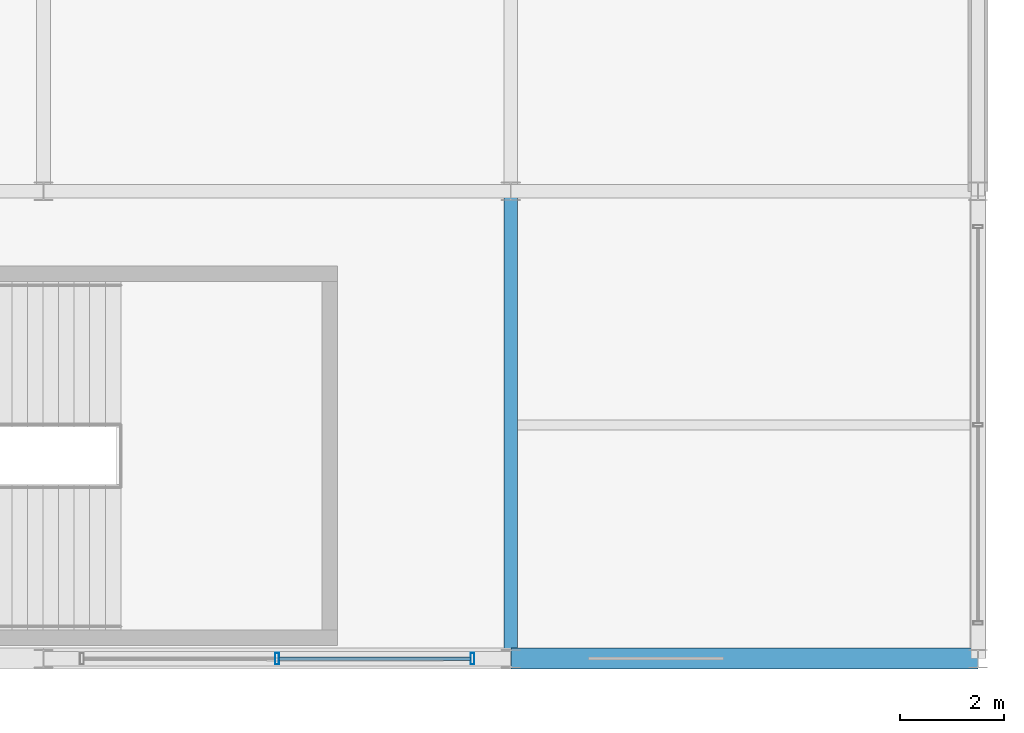
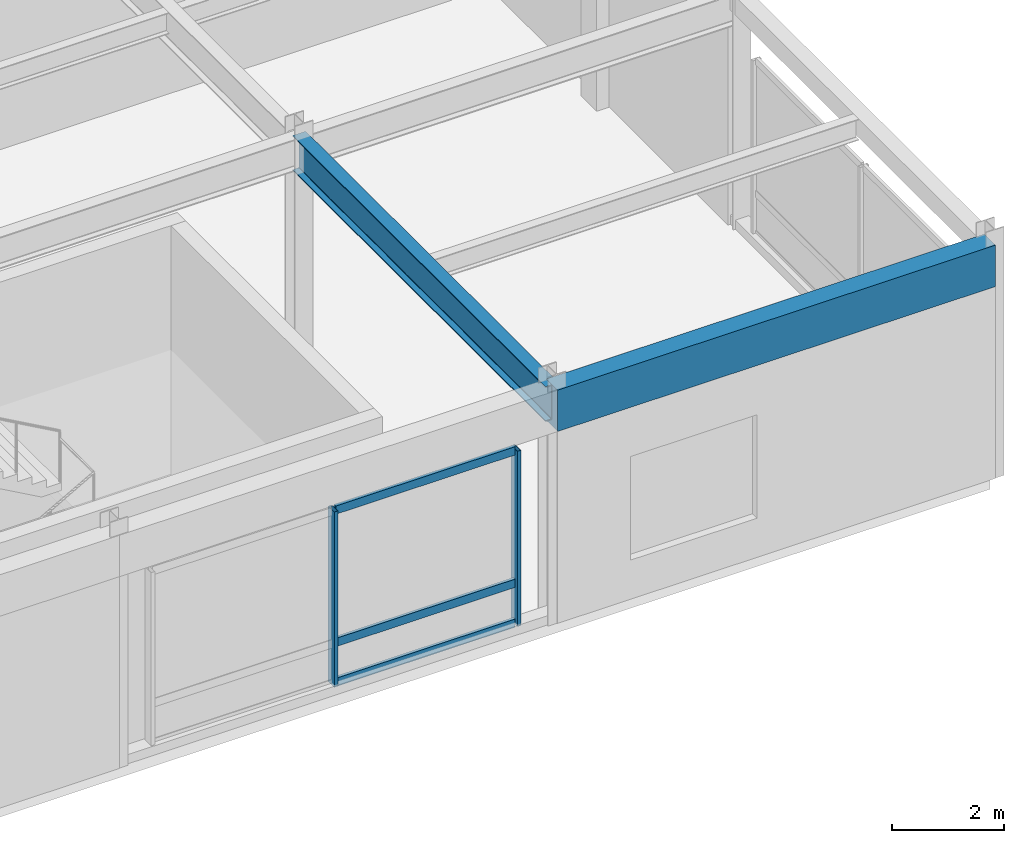
# One storey, part 42 of 100: 5 members, 2 beams, 1 element without a shape of its own.
"""IFC4 building model written with IfcOpenShell, lengths in metres."""

from ifc_helpers import new_model, si_unit, direction, frame, origin, origin_2d, place, context, subcontext, project, spatial, rectangle, hollow_rectangle, i_section, extrude, material, material_profile, profile_set, type_object, element, aggregate, save


model = new_model("IFC4")

# Units and contexts
model_context = context("Model", 3, precision=1e-05, world=origin(), true_north=direction((0.0, 1.0)))
body_context = subcontext(model_context, "Body", "Model", "MODEL_VIEW")
ifc_project = project(units=[si_unit("LENGTHUNIT", "METRE"), si_unit("AREAUNIT", "SQUARE_METRE"), si_unit("VOLUMEUNIT", "CUBIC_METRE"), si_unit("PLANEANGLEUNIT", "RADIAN"), si_unit("MASSUNIT", "GRAM", prefix="KILO")], contexts=[model_context])

# Site, building, storey
site_placement = place(None, origin())
site = spatial("IfcSite", under=ifc_project, at=site_placement, CompositionType="ELEMENT")
building_placement = place(site_placement, origin())
building = spatial("IfcBuilding", under=site, at=building_placement, Name="Kaldorvane Square Convention Centre", CompositionType="ELEMENT")
storey_placement = place(building_placement, frame((0.0, 0.0, 18.0)))
storey = spatial("IfcBuildingStorey", under=building, at=storey_placement, Name="L03", CompositionType="ELEMENT", Elevation=18.0)

# Beams
ifc_material_1 = material(Name="Steel ASTM A992 Gr. 50", Category="steel")
ifc_material_profile_1 = material_profile(ifc_material_1, i_section(OverallWidth=0.2666015625, OverallDepth=0.762298583984375, WebThickness=0.014404296875, FlangeThickness=0.0216064453125, FilletRadius=0.0164947509765625, at=origin_2d()), Name="W30X116")
ifc_profile_set_1 = profile_set([ifc_material_profile_1], Name="Steel ASTM A992 Gr. 50")
beam_type_1 = type_object("IfcBeamType", Name="BM-GR-W30X116", PredefinedType="BEAM", material=ifc_profile_set_1)
beam_1_placement = place(storey_placement, frame((165.0, 0.0, 4.694793701171875), z_axis=(0.0, 1.0, 0.0), x_axis=(-1.0, 0.0, 0.0)))
element("IfcBeam", 1, at=beam_1_placement, inside=storey, type_object=beam_type_1, Name="Transverse Girder (L03)", PredefinedType="BEAM", context=body_context, shape_type="SweptSolid", body=[
    extrude(i_section(OverallWidth=0.2666015625, OverallDepth=0.762298583984375, WebThickness=0.014404296875, FlangeThickness=0.0216064453125, FilletRadius=0.0164947509765625, at=origin_2d()), origin(), (0.0, 0.0, 1.0), 9.0),
])
ifc_material_2 = material(Name="Concrete f'c = 42 MPa (Normalweight)", Category="concrete")
ifc_material_profile_2 = material_profile(ifc_material_2, rectangle(XDim=0.399993896484375, YDim=0.899993896484375, at=origin_2d()), Name="RCSP900X400")
ifc_profile_set_2 = profile_set([ifc_material_profile_2], Name="Concrete f'c = 42 MPa (Normalweight)")
beam_type_2 = type_object("IfcBeamType", Name="BM-SP-RC900", PredefinedType="SPANDREL", material=ifc_profile_set_2)
beam_2_placement = place(storey_placement, frame((165.0, 0.0, 4.626007080078125), z_axis=(1.0, 0.0, 0.0), x_axis=(0.0, 1.0, 0.0)))
element("IfcBeam", 2, at=beam_2_placement, inside=storey, type_object=beam_type_2, Name="Perimeter Spandrel (L03)", PredefinedType="SPANDREL", context=body_context, shape_type="SweptSolid", body=[
    extrude(rectangle(XDim=0.399993896484375, YDim=0.899993896484375, at=origin_2d()), origin(), (0.0, 0.0, 1.0), 9.0),
])

# Curtain wall, members
ifc_material_3 = material(Name="Anodized Aluminum and Low-E Insulated Glazing", Category="aluminium")
curtain_wall_type = type_object("IfcCurtainWallType", Name="CW-UNI-P54-12", PredefinedType="USERDEFINED", material=ifc_material_3)
curtain_wall_placement = place(storey_placement, origin())
curtain_wall = element("IfcCurtainWall", 3, at=curtain_wall_placement, inside=storey, type_object=curtain_wall_type, Name="Curtain Wall CW-03 (L03)", ObjectType="UNITISED GLAZING", PredefinedType="USERDEFINED")
ifc_material_profile_3 = material_profile(ifc_material_3, hollow_rectangle(XDim=0.0749969482421875, YDim=0.220001220703125, WallThickness=0.003997802734375, at=origin_2d()), Name="CWM-220X75")
ifc_profile_set_3 = profile_set([ifc_material_profile_3], Name="Anodized Aluminum and Low-E Insulated Glazing")
member_type_1 = type_object("IfcMemberType", Name="CW-MUL-220", PredefinedType="MULLION", material=ifc_profile_set_3)
member_1_placement = place(storey_placement, frame((160.5, 0.0, 0.149993896484375), z_axis=(0.0, 0.0, 1.0), x_axis=(1.0, 0.0, 0.0)))
member_1 = element("IfcMember", 4, at=member_1_placement, type_object=member_type_1, Name="CW-03 mullion 2", PredefinedType="MULLION", context=body_context, shape_type="SweptSolid", body=[
    extrude(hollow_rectangle(XDim=0.0749969482421875, YDim=0.220001220703125, WallThickness=0.003997802734375, at=origin_2d()), origin(), (0.0, 0.0, 1.0), 3.8100128173828125),
])
member_2_placement = place(storey_placement, frame((164.2624969482422, 0.0, 0.149993896484375), z_axis=(0.0, 0.0, 1.0), x_axis=(1.0, 0.0, 0.0)))
member_2 = element("IfcMember", 5, at=member_2_placement, type_object=member_type_1, Name="CW-03 mullion 3", PredefinedType="MULLION", context=body_context, shape_type="SweptSolid", body=[
    extrude(hollow_rectangle(XDim=0.0749969482421875, YDim=0.220001220703125, WallThickness=0.003997802734375, at=origin_2d()), origin(), (0.0, 0.0, 1.0), 3.8100128173828125),
])
ifc_material_profile_4 = material_profile(ifc_material_3, hollow_rectangle(XDim=0.06500244140625, YDim=0.17999267578125, WallThickness=0.0034942626953125, at=origin_2d()), Name="CWT-180X65")
ifc_profile_set_4 = profile_set([ifc_material_profile_4], Name="Anodized Aluminum and Low-E Insulated Glazing")
member_type_2 = type_object("IfcMemberType", Name="CW-TRN-180", PredefinedType="USERDEFINED", material=ifc_profile_set_4)
member_3_placement = place(storey_placement, frame((160.53750610351562, 0.0, 0.1824951171875), z_axis=(1.0, 0.0, 0.0), x_axis=(0.0, 1.0, 0.0)))
member_3 = element("IfcMember", 6, at=member_3_placement, type_object=member_type_2, Name="CW-03 transom 2.1", ObjectType="TRANSOM", PredefinedType="USERDEFINED", context=body_context, shape_type="SweptSolid", body=[
    extrude(hollow_rectangle(XDim=0.06500244140625, YDim=0.17999267578125, WallThickness=0.0034942626953125, at=origin_2d()), origin(), (0.0, 0.0, 1.0), 3.6875),
])
member_4_placement = place(storey_placement, frame((160.53750610351562, 0.0, 1.0500030517578125), z_axis=(1.0, 0.0, 0.0), x_axis=(0.0, 1.0, 0.0)))
member_4 = element("IfcMember", 7, at=member_4_placement, type_object=member_type_2, Name="CW-03 transom 2.2", ObjectType="TRANSOM", PredefinedType="USERDEFINED", context=body_context, shape_type="SweptSolid", body=[
    extrude(hollow_rectangle(XDim=0.06500244140625, YDim=0.17999267578125, WallThickness=0.0034942626953125, at=origin_2d()), origin(), (0.0, 0.0, 1.0), 3.6875),
])
member_5_placement = place(storey_placement, frame((160.53750610351562, 0.0, 3.9275054931640625), z_axis=(1.0, 0.0, 0.0), x_axis=(0.0, 1.0, 0.0)))
member_5 = element("IfcMember", 8, at=member_5_placement, type_object=member_type_2, Name="CW-03 transom 2.3", ObjectType="TRANSOM", PredefinedType="USERDEFINED", context=body_context, shape_type="SweptSolid", body=[
    extrude(hollow_rectangle(XDim=0.06500244140625, YDim=0.17999267578125, WallThickness=0.0034942626953125, at=origin_2d()), origin(), (0.0, 0.0, 1.0), 3.6875),
])
aggregate(curtain_wall, [member_1, member_2, member_3, member_4, member_5])

save(model, "model.ifc")
